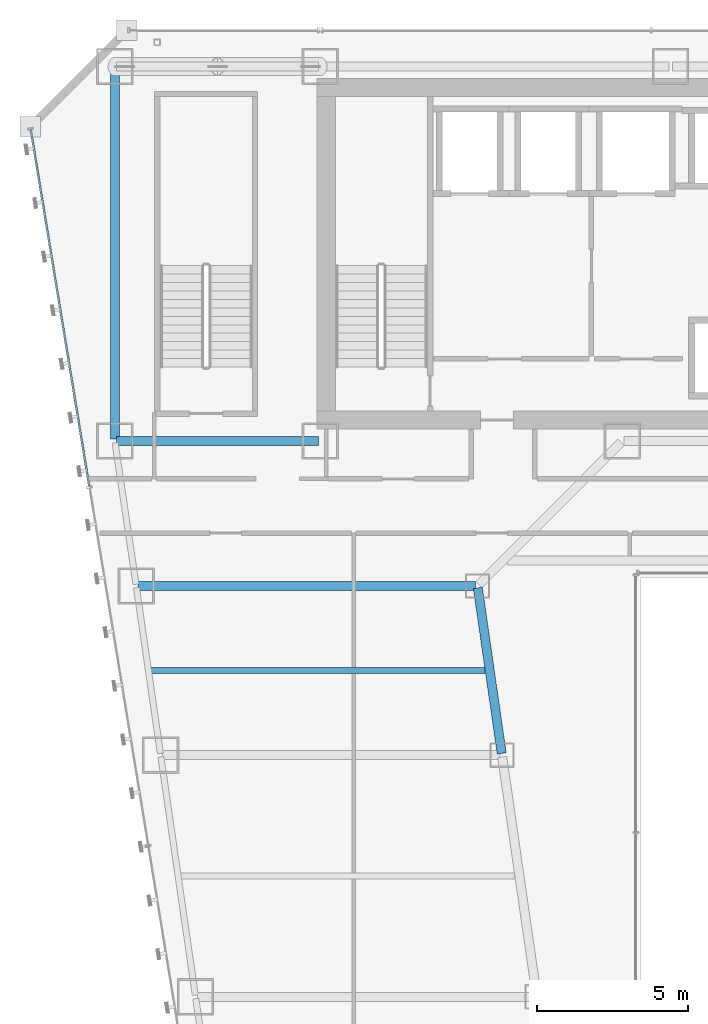
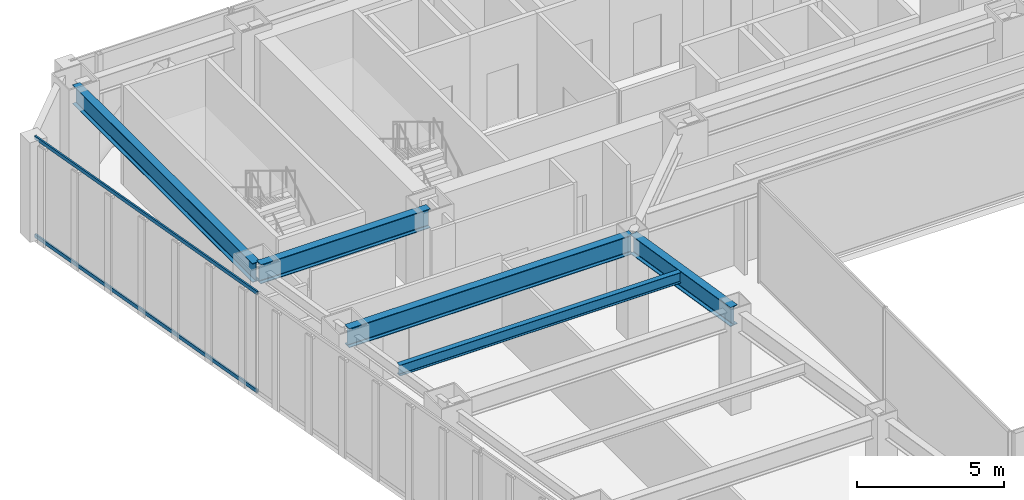
# One storey, part 23 of 47: 5 beams, 2 members, 1 element without a shape of its own.
"""IFC4 building model written with IfcOpenShell, lengths in metres."""

from ifc_helpers import new_model, si_unit, direction, frame, origin, origin_2d, place, context, subcontext, project, spatial, hollow_rectangle, i_section, extrude, material, material_profile, profile_set, type_object, element, aggregate, save


model = new_model("IFC4")

# Units and contexts
model_context = context("Model", 3, precision=1e-05, world=origin(), true_north=direction((0.0, 1.0)))
body_context = subcontext(model_context, "Body", "Model", "MODEL_VIEW")
ifc_project = project(units=[si_unit("LENGTHUNIT", "METRE"), si_unit("AREAUNIT", "SQUARE_METRE"), si_unit("VOLUMEUNIT", "CUBIC_METRE"), si_unit("PLANEANGLEUNIT", "RADIAN"), si_unit("MASSUNIT", "GRAM", prefix="KILO")], contexts=[model_context])

# Site, building, storey
site_placement = place(None, origin())
site = spatial("IfcSite", under=ifc_project, at=site_placement, CompositionType="ELEMENT")
building_placement = place(site_placement, origin())
building = spatial("IfcBuilding", under=site, at=building_placement, Name="Saevonmaru Cultural Tower", CompositionType="ELEMENT")
storey_placement = place(building_placement, frame((0.0, 0.0, 64.800048828125)))
storey = spatial("IfcBuildingStorey", under=building, at=storey_placement, Name="L13", CompositionType="ELEMENT", Elevation=64.800048828125)

# Beams
ifc_material_1 = material(Name="Steel SM420", Category="steel")
ifc_material_profile_1 = material_profile(ifc_material_1, i_section(OverallWidth=0.300048828125, OverallDepth=0.800048828125, WebThickness=0.013916015625, FlangeThickness=0.02587890625, FilletRadius=0.028076171875, at=origin_2d()), Name="H-800x300x14x26")
ifc_profile_set_1 = profile_set([ifc_material_profile_1], Name="Steel SM420")
beam_type_1 = type_object("IfcBeamType", Name="BM-G-H800", PredefinedType="BEAM", material=ifc_profile_set_1)
beam_1_placement = place(storey_placement, frame((6.860107421875, 42.39990234375, 3.75), z_axis=(1.0, 0.0, 0.0), x_axis=(0.0, 1.0, 0.0)))
element("IfcBeam", 1, at=beam_1_placement, inside=storey, type_object=beam_type_1, Name="L13 Core South Girder 1", PredefinedType="BEAM", context=body_context, shape_type="SweptSolid", body=[
    extrude(i_section(OverallWidth=0.300048828125, OverallDepth=0.800048828125, WebThickness=0.013916015625, FlangeThickness=0.02587890625, FilletRadius=0.028076171875, at=origin_2d()), origin(), (0.0, 0.0, 1.0), 6.679931640625),
])
beam_2_placement = place(storey_placement, frame((6.800048828125, 54.739990234375, 3.75), z_axis=(0.0, -1.0, 0.0), x_axis=(1.0, 0.0, 0.0)))
element("IfcBeam", 2, at=beam_2_placement, inside=storey, type_object=beam_type_1, Name="L13 Spine Transverse Girder W", PredefinedType="BEAM", context=body_context, shape_type="SweptSolid", body=[
    extrude(i_section(OverallWidth=0.300048828125, OverallDepth=0.800048828125, WebThickness=0.013916015625, FlangeThickness=0.02587890625, FilletRadius=0.028076171875, at=origin_2d()), origin(), (0.0, 0.0, 1.0), 12.280029296875),
])
beam_3_placement = place(storey_placement, frame((19.6083984375, 32.059326171875, 3.75), z_axis=(-0.142964121327, 0.989727871697, 0.0), x_axis=(-0.989727871697, -0.142964121327, 0.0)))
element("IfcBeam", 3, at=beam_3_placement, inside=storey, type_object=beam_type_1, Name="L13 West Atrium Girder 5", PredefinedType="BEAM", context=body_context, shape_type="SweptSolid", body=[
    extrude(i_section(OverallWidth=0.300048828125, OverallDepth=0.800048828125, WebThickness=0.013916015625, FlangeThickness=0.02587890625, FilletRadius=0.028076171875, at=origin_2d()), origin(), (0.0, 0.0, 1.0), 5.5380859375),
])
beam_4_placement = place(storey_placement, frame((7.568115234375, 37.60009765625, 3.75), z_axis=(1.0, 0.0, 0.0), x_axis=(0.0, 1.0, 0.0)))
element("IfcBeam", 4, at=beam_4_placement, inside=storey, type_object=beam_type_1, Name="L13 West Wing Transverse Girder 6", PredefinedType="BEAM", context=body_context, shape_type="SweptSolid", body=[
    extrude(i_section(OverallWidth=0.300048828125, OverallDepth=0.800048828125, WebThickness=0.013916015625, FlangeThickness=0.02587890625, FilletRadius=0.028076171875, at=origin_2d()), origin(), (0.0, 0.0, 1.0), 11.179931640625),
])
ifc_material_2 = material(Name="Steel SM355", Category="steel")
ifc_material_profile_2 = material_profile(ifc_material_2, i_section(OverallWidth=0.199951171875, OverallDepth=0.449951171875, WebThickness=0.009033203125, FlangeThickness=0.013916015625, FilletRadius=0.01806640625, at=origin_2d()), Name="H-450x200x9x14")
ifc_profile_set_2 = profile_set([ifc_material_profile_2], Name="Steel SM355")
beam_type_2 = type_object("IfcBeamType", Name="BM-J-H450", PredefinedType="JOIST", material=ifc_profile_set_2)
beam_5_placement = place(storey_placement, frame((7.972412109375, 34.800048828125, 3.925048828125), z_axis=(1.0, 0.0, 0.0), x_axis=(0.0, 1.0, 0.0)))
element("IfcBeam", 5, at=beam_5_placement, inside=storey, type_object=beam_type_2, Name="L13 West Wing Floor Joist 5", PredefinedType="JOIST", context=body_context, shape_type="SweptSolid", body=[
    extrude(i_section(OverallWidth=0.199951171875, OverallDepth=0.449951171875, WebThickness=0.009033203125, FlangeThickness=0.013916015625, FilletRadius=0.01806640625, at=origin_2d()), origin(), (0.0, 0.0, 1.0), 11.08203125),
])

# Curtain wall, members
ifc_material_3 = material(Name="Satin Bronze Anodised Aluminium", Category="aluminium")
curtain_wall_type = type_object("IfcCurtainWallType", Name="CW-TYP-A", PredefinedType="NOTDEFINED", material=ifc_material_3)
curtain_wall_placement = place(storey_placement, origin())
curtain_wall = element("IfcCurtainWall", 6, at=curtain_wall_placement, inside=storey, type_object=curtain_wall_type, Name="L13 Unitised Curtain Wall E12", PredefinedType="NOTDEFINED")
ifc_material_profile_3 = material_profile(ifc_material_3, hollow_rectangle(XDim=0.06494140625, YDim=0.14990234375, WallThickness=0.00390625, at=origin_2d()), Name="ALU-TRAN-150x65x4")
ifc_profile_set_3 = profile_set([ifc_material_profile_3], Name="Satin Bronze Anodised Aluminium")
member_type = type_object("IfcMemberType", Name="TR-CW-150x65", PredefinedType="USERDEFINED", material=ifc_profile_set_3)
member_1_placement = place(storey_placement, frame((4.014892578125, 52.708740234375, 0.032470703125), z_axis=(0.161724530373, -0.986835941925, 0.0), x_axis=(0.986835941925, 0.161724530373, 0.0)))
member_1 = element("IfcMember", 7, at=member_1_placement, type_object=member_type, Name="CW-TW-L13-E12 transom 1.1", ObjectType="TRANSOM", PredefinedType="USERDEFINED", context=body_context, shape_type="SweptSolid", body=[
    extrude(hollow_rectangle(XDim=0.06494140625, YDim=0.14990234375, WallThickness=0.00390625, at=origin_2d()), origin(), (0.0, 0.0, 1.0), 11.963623046875),
])
member_2_placement = place(storey_placement, frame((4.014892578125, 52.708740234375, 4.117431640625), z_axis=(0.161724530373, -0.986835941925, 0.0), x_axis=(0.986835941925, 0.161724530373, 0.0)))
member_2 = element("IfcMember", 8, at=member_2_placement, type_object=member_type, Name="CW-TW-L13-E12 transom 1.2", ObjectType="TRANSOM", PredefinedType="USERDEFINED", context=body_context, shape_type="SweptSolid", body=[
    extrude(hollow_rectangle(XDim=0.06494140625, YDim=0.14990234375, WallThickness=0.00390625, at=origin_2d()), origin(), (0.0, 0.0, 1.0), 11.963623046875),
])
aggregate(curtain_wall, [member_1, member_2])

save(model, "model.ifc")
